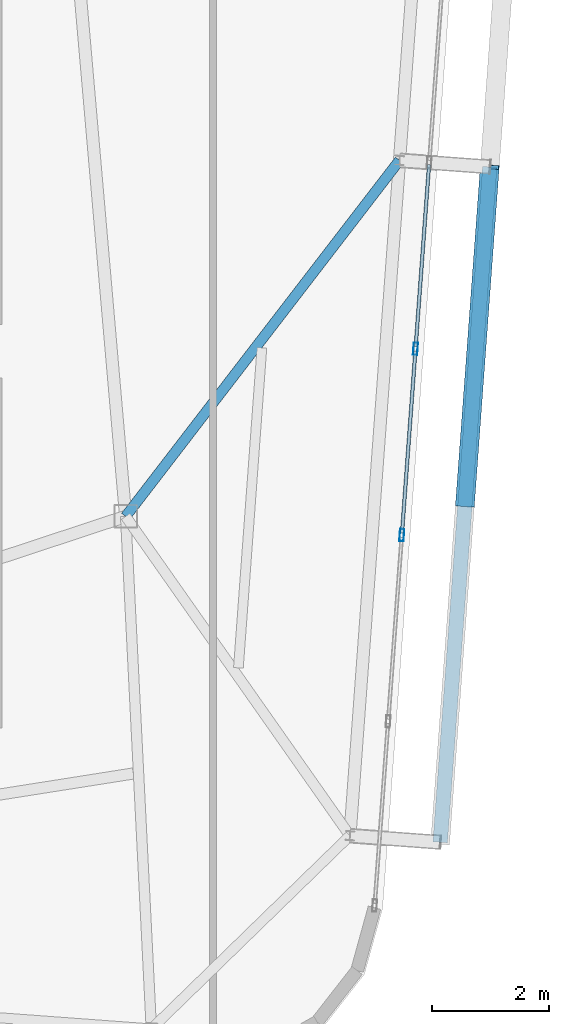
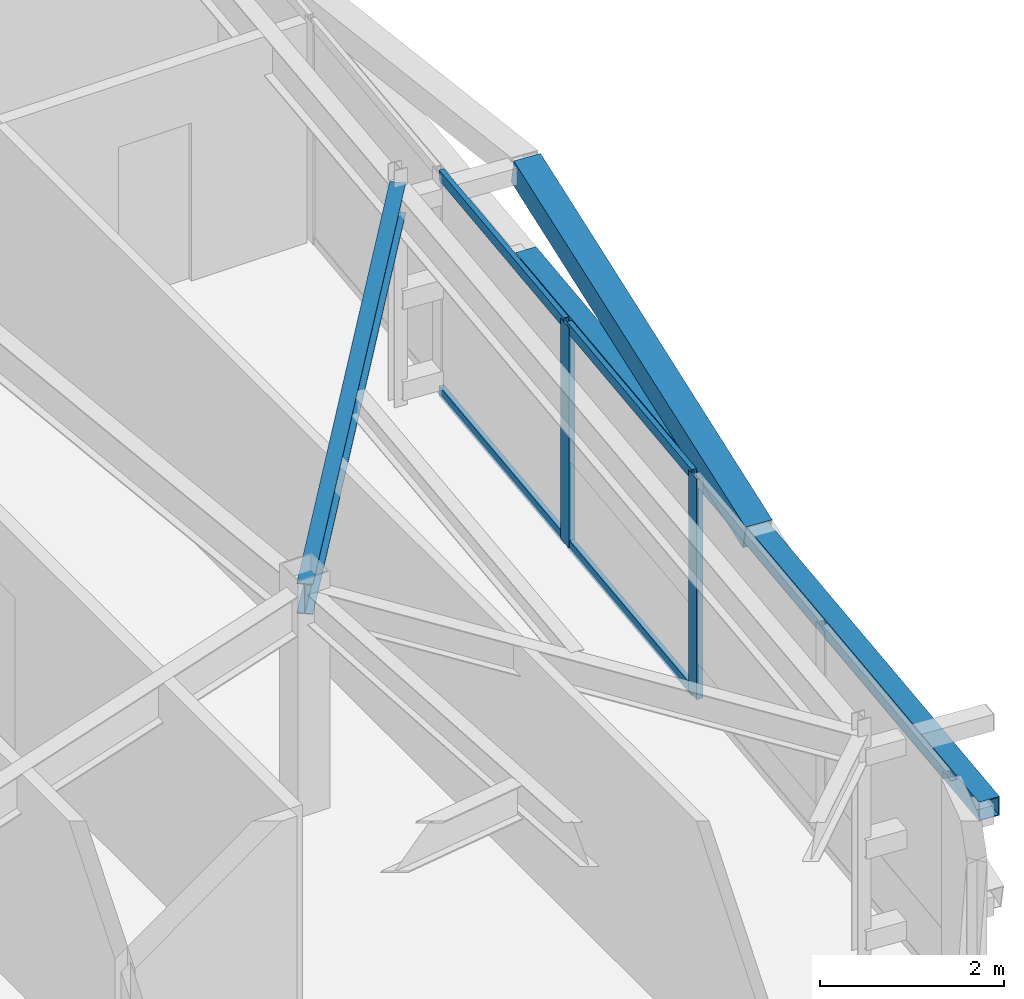
# One storey, part 21 of 42: 8 members, 1 beam, 1 element without a shape of its own.
"""IFC4 building model written with IfcOpenShell, lengths in metres."""

from ifc_helpers import new_model, si_unit, direction, frame, origin, origin_2d, place, context, subcontext, project, spatial, hollow_rectangle, i_section, extrude, source, transform, mapped, material, layer, layer_set, material_profile, profile_set, type_object, element, aggregate, save


model = new_model("IFC4")

# Units and contexts
model_context = context("Model", 3, precision=1e-05, world=origin(), true_north=direction((0.0, 1.0)))
body_context = subcontext(model_context, "Body", "Model", "MODEL_VIEW")
ifc_project = project(units=[si_unit("LENGTHUNIT", "METRE"), si_unit("AREAUNIT", "SQUARE_METRE"), si_unit("VOLUMEUNIT", "CUBIC_METRE"), si_unit("PLANEANGLEUNIT", "RADIAN"), si_unit("MASSUNIT", "GRAM", prefix="KILO")], contexts=[model_context])

# Site, building, storey
site_placement = place(None, origin())
site = spatial("IfcSite", under=ifc_project, at=site_placement, CompositionType="ELEMENT")
building_placement = place(site_placement, origin())
building = spatial("IfcBuilding", under=site, at=building_placement, Name="Taldren Reach Tower", CompositionType="ELEMENT")
storey_placement = place(building_placement, frame((0.0, 0.0, 217.699951171875)))
storey = spatial("IfcBuildingStorey", under=building, at=storey_placement, Name="L66", CompositionType="ELEMENT", Elevation=217.699951171875)

# Beam
ifc_material_1 = material(Name="Steel Gr 350 (350PLUS)", Category="steel")
ifc_material_profile_1 = material_profile(ifc_material_1, i_section(OverallWidth=0.177978515625, OverallDepth=0.406005859375, WebThickness=0.0078125, FlangeThickness=0.0126953125, at=origin_2d()), Name="410UB59.7")
ifc_profile_set_1 = profile_set([ifc_material_profile_1], Name="Steel Gr 350 (350PLUS)")
beam_type = type_object("IfcBeamType", Name="BM-UB410", PredefinedType="BEAM", material=ifc_profile_set_1)
shared_shape_1 = source(origin(), body_context, "Body", "SweptSolid", [
    extrude(i_section(OverallWidth=0.177978515625, OverallDepth=0.406005859375, WebThickness=0.0078125, FlangeThickness=0.0126953125, at=origin_2d()), origin(), (0.0, 0.0, 1.0), 7.6953125),
])
beam_placement = place(storey_placement, frame((52.0, 12.5, 2.72705078125), z_axis=(0.609646363361, 0.792673521471, 0.0), x_axis=(-0.792673521471, 0.609646363361, 0.0)))
element("IfcBeam", 1, at=beam_placement, inside=storey, type_object=beam_type, Name="Primary floor girder B5-E2 L66", PredefinedType="BEAM", context=body_context, shape_type="MappedRepresentation", body=[
    mapped(shared_shape_1, transform((0.0, 0.0, 0.0), scale=1.0)),
])

# Members
ifc_material_2 = material(Name="Steel Gr 450 (C450L0)", Category="steel")
ifc_material_profile_2 = material_profile(ifc_material_2, hollow_rectangle(XDim=0.324951171875, YDim=0.324951171875, WallThickness=0.0126953125, at=origin_2d()), Name="325x325x12.7SHS")
ifc_profile_set_2 = profile_set([ifc_material_profile_2], Name="Steel Gr 450 (C450L0)")
member_type_1 = type_object("IfcMemberType", Name="MB-BR324", PredefinedType="BRACE", material=ifc_profile_set_2)
shared_shape_2 = source(origin(), body_context, "Body", "SweptSolid", [
    extrude(hollow_rectangle(XDim=0.324951171875, YDim=0.324951171875, WallThickness=0.0126953125, at=origin_2d()), origin(), (0.0, 0.0, 1.0), 5.926025390625),
])
member_1_placement = place(storey_placement, frame((57.812255859375, 12.701904296875, 1.43505859375), z_axis=(0.071685935393, 0.976123486939, 0.205046494513), x_axis=(-0.997314185625, 0.073242167855, 0.0)))
element("IfcMember", 2, at=member_1_placement, inside=storey, type_object=member_type_1, Name="Exoskeleton Diagrid Brace B5-E1 L66", PredefinedType="BRACE", context=body_context, shape_type="MappedRepresentation", body=[
    mapped(shared_shape_2, transform((0.0, 0.0, 0.0), scale=1.0)),
])
ifc_material_3 = material(Name="Steel Gr 350 (C350L0)", Category="steel")
ifc_material_profile_3 = material_profile(ifc_material_3, hollow_rectangle(XDim=0.25, YDim=0.25, WallThickness=0.010009765625, at=origin_2d()), Name="250x250x10.0SHS")
ifc_profile_set_3 = profile_set([ifc_material_profile_3], Name="Steel Gr 350 (C350L0)")
member_type_2 = type_object("IfcMemberType", Name="MB-POST250", PredefinedType="POST", material=ifc_profile_set_3)
shared_shape_3 = source(origin(), body_context, "Body", "SweptSolid", [
    extrude(hollow_rectangle(XDim=0.25, YDim=0.25, WallThickness=0.010009765625, at=origin_2d()), origin(), (0.0, 0.0, 1.0), 11.60009765625),
])
member_2_placement = place(storey_placement, frame((57.3876953125, 6.91748046875, 1.43505859375), z_axis=(0.073221234109, 0.997315722766, 0.0), x_axis=(-0.997315722766, 0.073221234109, 0.0)))
element("IfcMember", 3, at=member_2_placement, inside=storey, type_object=member_type_2, Name="Exoskeleton mid-height ring chord B5-E1 L66", PredefinedType="POST", context=body_context, shape_type="MappedRepresentation", body=[
    mapped(shared_shape_3, transform((0.0, 0.0, 0.0), scale=1.0)),
])

# Curtain wall, members
ifc_material_4 = material(Name="Aluminium and Low-E Glass Unitised System", Category="aluminium")
ifc_layer = layer(ifc_material_4, 0.159912109375)
ifc_layer_set = layer_set([ifc_layer], Name="Aluminium and Low-E Glass Unitised System")
curtain_wall_type = type_object("IfcCurtainWallType", Name="CW-SYS-6", PredefinedType="NOTDEFINED", material=ifc_layer_set)
curtain_wall_placement = place(storey_placement, origin())
curtain_wall = element("IfcCurtainWall", 4, at=curtain_wall_placement, inside=storey, type_object=curtain_wall_type, Name="Unitised curtain wall CW-L66-E", PredefinedType="NOTDEFINED")
ifc_material_5 = material(Name="Anodised Aluminium 6063-T6", Category="aluminium")
ifc_material_profile_4 = material_profile(ifc_material_5, hollow_rectangle(XDim=0.074951171875, YDim=0.2099609375, WallThickness=0.00439453125, at=origin_2d()), Name="ALU-210x75x4.5RHS")
ifc_profile_set_4 = profile_set([ifc_material_profile_4], Name="Anodised Aluminium 6063-T6")
member_type_3 = type_object("IfcMemberType", Name="CW-MUL-200", PredefinedType="MULLION", material=ifc_profile_set_4)
shared_shape_4 = source(origin(), body_context, "Body", "SweptSolid", [
    extrude(hollow_rectangle(XDim=0.074951171875, YDim=0.2099609375, WallThickness=0.00439453125, at=origin_2d()), origin(), (0.0, 0.0, 1.0), 2.929931640625),
])
member_3_placement = place(storey_placement, frame((56.731201171875, 12.1796875, 0.0), z_axis=(0.0, 0.0, 1.0), x_axis=(-0.997314470951, 0.073238282558, 0.0)))
member_3 = element("IfcMember", 5, at=member_3_placement, type_object=member_type_3, Name="CW-6 mullion 3", PredefinedType="MULLION", context=body_context, shape_type="MappedRepresentation", body=[
    mapped(shared_shape_4, transform((0.0, 0.0, 0.0), scale=1.0)),
])
member_4_placement = place(storey_placement, frame((56.965576171875, 15.37109375, 0.0), z_axis=(0.0, 0.0, 1.0), x_axis=(-0.997314470951, 0.073238282558, 0.0)))
member_4 = element("IfcMember", 6, at=member_4_placement, type_object=member_type_3, Name="CW-6 mullion 4", PredefinedType="MULLION", context=body_context, shape_type="MappedRepresentation", body=[
    mapped(shared_shape_4, transform((0.0, 0.0, 0.0), scale=1.0)),
])
ifc_material_profile_5 = material_profile(ifc_material_5, hollow_rectangle(XDim=0.06005859375, YDim=0.135009765625, WallThickness=0.00341796875, at=origin_2d()), Name="ALU-135x60x3.5RHS")
ifc_profile_set_5 = profile_set([ifc_material_profile_5], Name="Anodised Aluminium 6063-T6")
member_type_4 = type_object("IfcMemberType", Name="CW-TRN-150", PredefinedType="USERDEFINED", material=ifc_profile_set_5)
shared_shape_5 = source(origin(), body_context, "Body", "SweptSolid", [
    extrude(hollow_rectangle(XDim=0.06005859375, YDim=0.135009765625, WallThickness=0.00341796875, at=origin_2d()), origin(), (0.0, 0.0, 1.0), 3.124755859375),
])
member_5_placement = place(storey_placement, frame((56.73388671875, 12.217041015625, 0.030029296875), z_axis=(0.073284589347, 0.997311069308, 0.0), x_axis=(-0.997311069308, 0.073284589347, 0.0)))
member_5 = element("IfcMember", 7, at=member_5_placement, type_object=member_type_4, Name="CW-6 transom 3.1", ObjectType="TRANSOM", PredefinedType="USERDEFINED", context=body_context, shape_type="MappedRepresentation", body=[
    mapped(shared_shape_5, transform((0.0, 0.0, 0.0), scale=1.0)),
])
member_6_placement = place(storey_placement, frame((56.73388671875, 12.217041015625, 2.900146484375), z_axis=(0.073284589347, 0.997311069308, 0.0), x_axis=(-0.997311069308, 0.073284589347, 0.0)))
member_6 = element("IfcMember", 8, at=member_6_placement, type_object=member_type_4, Name="CW-6 transom 3.2", ObjectType="TRANSOM", PredefinedType="USERDEFINED", context=body_context, shape_type="MappedRepresentation", body=[
    mapped(shared_shape_5, transform((0.0, 0.0, 0.0), scale=1.0)),
])
member_7_placement = place(storey_placement, frame((56.96826171875, 15.408447265625, 0.030029296875), z_axis=(0.073284589347, 0.997311069308, 0.0), x_axis=(-0.997311069308, 0.073284589347, 0.0)))
member_7 = element("IfcMember", 9, at=member_7_placement, type_object=member_type_4, Name="CW-6 transom 4.1", ObjectType="TRANSOM", PredefinedType="USERDEFINED", context=body_context, shape_type="MappedRepresentation", body=[
    mapped(shared_shape_5, transform((0.0, 0.0, 0.0), scale=1.0)),
])
member_8_placement = place(storey_placement, frame((56.96826171875, 15.408447265625, 2.900146484375), z_axis=(0.073284589347, 0.997311069308, 0.0), x_axis=(-0.997311069308, 0.073284589347, 0.0)))
member_8 = element("IfcMember", 10, at=member_8_placement, type_object=member_type_4, Name="CW-6 transom 4.2", ObjectType="TRANSOM", PredefinedType="USERDEFINED", context=body_context, shape_type="MappedRepresentation", body=[
    mapped(shared_shape_5, transform((0.0, 0.0, 0.0), scale=1.0)),
])
aggregate(curtain_wall, [member_3, member_4, member_5, member_6, member_7, member_8])

save(model, "model.ifc")
